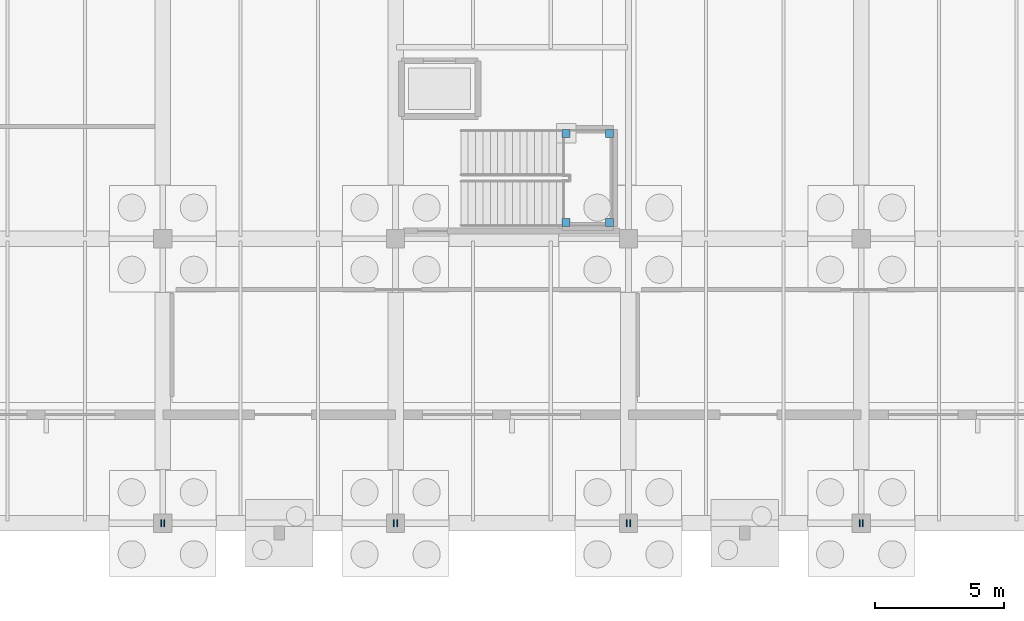
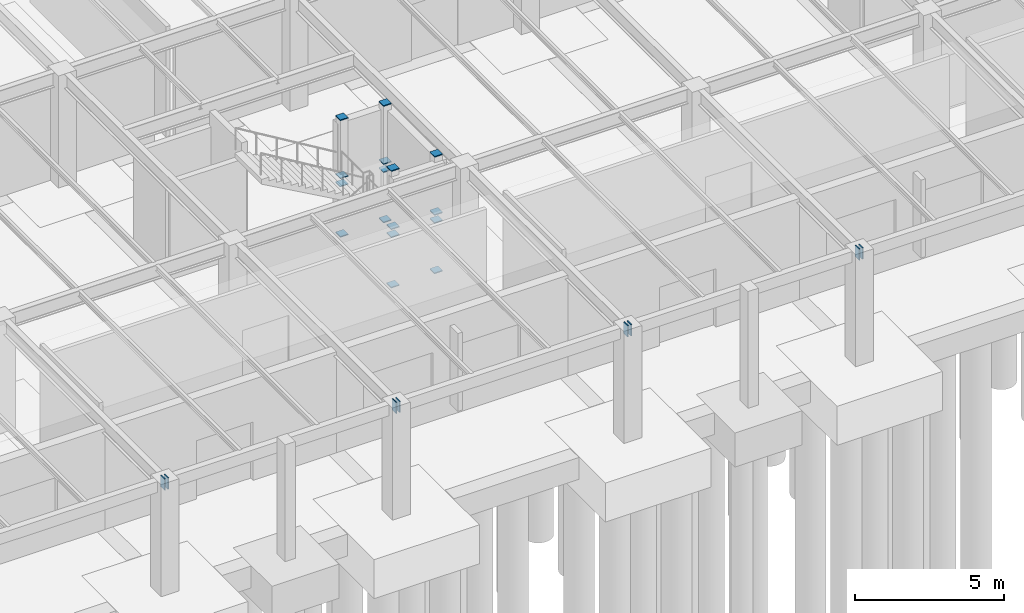
# One storey, part 135 of 160: 24 discrete accessories.
"""IFC4 building model written with IfcOpenShell, lengths in metres."""

from ifc_helpers import new_model, si_unit, direction, frame, origin, origin_2d, place, context, subcontext, project, spatial, rectangle, extrude, material, element, save


model = new_model("IFC4")

# Units and contexts
model_context = context("Model", 3, precision=1e-05, world=origin(), true_north=direction((0.0, 1.0)))
body_context = subcontext(model_context, "Body", "Model", "MODEL_VIEW")
ifc_project = project(units=[si_unit("LENGTHUNIT", "METRE"), si_unit("AREAUNIT", "SQUARE_METRE"), si_unit("VOLUMEUNIT", "CUBIC_METRE"), si_unit("PLANEANGLEUNIT", "RADIAN"), si_unit("MASSUNIT", "GRAM", prefix="KILO")], contexts=[model_context])

# Site, building, storey
site_placement = place(None, origin())
site = spatial("IfcSite", under=ifc_project, at=site_placement, CompositionType="ELEMENT")
building_placement = place(site_placement, origin())
building = spatial("IfcBuilding", under=site, at=building_placement, Name="Marlcrest Central Station", CompositionType="ELEMENT")
storey_placement = place(building_placement, origin())
storey = spatial("IfcBuildingStorey", under=building, at=storey_placement, Name="L00", CompositionType="ELEMENT", Elevation=0.0)

# Discrete accessories
ifc_material = material(Name="Steel S355", Category="steel")
for number, where, z_axis, x_axis, name in (
    (1, (161.9150390625, 0.0, 4.3798828125), (1.0, 0.0, 0.0), (0.0, 1.0, 0.0), "endcap-bm-SP-02-L00-00751-e"),
    (2, (162.045166015625, 0.0, 4.3798828125), (1.0, 0.0, 0.0), (0.0, 1.0, 0.0), "endcap-bm-SP-02-L00-00752-s"),
    (3, (170.9150390625, 0.0, 4.3798828125), (1.0, 0.0, 0.0), (0.0, 1.0, 0.0), "endcap-bm-SP-02-L00-00752-e"),
    (4, (171.045166015625, 0.0, 4.3798828125), (1.0, 0.0, 0.0), (0.0, 1.0, 0.0), "endcap-bm-SP-02-L00-00753-s"),
    (5, (179.9150390625, 0.0, 4.3798828125), (1.0, 0.0, 0.0), (0.0, 1.0, 0.0), "endcap-bm-SP-02-L00-00753-e"),
    (6, (180.045166015625, 0.0, 4.3798828125), (1.0, 0.0, 0.0), (0.0, 1.0, 0.0), "endcap-bm-SP-02-L00-00754-s"),
    (7, (188.9150390625, 0.0, 4.3798828125), (1.0, 0.0, 0.0), (0.0, 1.0, 0.0), "endcap-bm-SP-02-L00-00754-e"),
    (8, (189.045166015625, 0.0, 4.3798828125), (1.0, 0.0, 0.0), (0.0, 1.0, 0.0), "endcap-bm-SP-02-L00-00755-s"),
):
    element("IfcDiscreteAccessory", number, at=place(storey_placement, frame(where, z_axis=z_axis, x_axis=x_axis)), inside=storey, material=ifc_material, Name=name, ObjectType="END_CAP_PLATE", PredefinedType="BRACKET", context=body_context, shape_type="SweptSolid", body=[
        extrude(rectangle(XDim=0.26611328125, YDim=0.466064453125, at=origin_2d()), origin(), (0.0, 0.0, 1.0), 0.0400390625),
    ])
for number, where, z_axis, x_axis, name in (
    (9, (177.590087890625, 11.6298828125, -0.014892578125), (0.0, 0.0, 1.0), (1.0, 0.0, 0.0), "endcap-htcol-lo-0037-0-s"),
    (10, (177.590087890625, 11.6298828125, 2.05517578125), (0.0, 0.0, 1.0), (1.0, 0.0, 0.0), "endcap-htcol-lo-0037-0-e"),
    (11, (177.590087890625, 11.6298828125, 2.385009765625), (0.0, 0.0, 1.0), (1.0, 0.0, 0.0), "endcap-htcol-hi-0037-0-s"),
    (12, (177.590087890625, 11.6298828125, 4.775146484375), (0.0, 0.0, 1.0), (1.0, 0.0, 0.0), "endcap-htcol-hi-0037-0-e"),
    (13, (179.27001953125, 11.6298828125, -0.014892578125), (0.0, 0.0, 1.0), (1.0, 0.0, 0.0), "endcap-htcol-lo-0037-1-s"),
    (14, (179.27001953125, 11.6298828125, 2.05517578125), (0.0, 0.0, 1.0), (1.0, 0.0, 0.0), "endcap-htcol-lo-0037-1-e"),
    (15, (179.27001953125, 11.6298828125, 2.385009765625), (0.0, 0.0, 1.0), (1.0, 0.0, 0.0), "endcap-htcol-hi-0037-1-s"),
    (16, (179.27001953125, 11.6298828125, 4.775146484375), (0.0, 0.0, 1.0), (1.0, 0.0, 0.0), "endcap-htcol-hi-0037-1-e"),
    (17, (179.27001953125, 15.070068359375, -0.014892578125), (0.0, 0.0, 1.0), (1.0, 0.0, 0.0), "endcap-htcol-lo-0037-2-s"),
    (18, (179.27001953125, 15.070068359375, 2.05517578125), (0.0, 0.0, 1.0), (1.0, 0.0, 0.0), "endcap-htcol-lo-0037-2-e"),
    (19, (179.27001953125, 15.070068359375, 2.385009765625), (0.0, 0.0, 1.0), (1.0, 0.0, 0.0), "endcap-htcol-hi-0037-2-s"),
    (20, (179.27001953125, 15.070068359375, 4.775146484375), (0.0, 0.0, 1.0), (1.0, 0.0, 0.0), "endcap-htcol-hi-0037-2-e"),
    (21, (177.590087890625, 15.070068359375, -0.014892578125), (0.0, 0.0, 1.0), (1.0, 0.0, 0.0), "endcap-htcol-lo-0037-3-s"),
    (22, (177.590087890625, 15.070068359375, 2.05517578125), (0.0, 0.0, 1.0), (1.0, 0.0, 0.0), "endcap-htcol-lo-0037-3-e"),
    (23, (177.590087890625, 15.070068359375, 2.385009765625), (0.0, 0.0, 1.0), (1.0, 0.0, 0.0), "endcap-htcol-hi-0037-3-s"),
    (24, (177.590087890625, 15.070068359375, 4.775146484375), (0.0, 0.0, 1.0), (1.0, 0.0, 0.0), "endcap-htcol-hi-0037-3-e"),
):
    element("IfcDiscreteAccessory", number, at=place(storey_placement, frame(where, z_axis=z_axis, x_axis=x_axis)), inside=storey, material=ifc_material, Name=name, ObjectType="END_CAP_PLATE", PredefinedType="BRACKET", context=body_context, shape_type="SweptSolid", body=[
        extrude(rectangle(XDim=0.31591796875, YDim=0.31591796875, at=origin_2d()), origin(), (0.0, 0.0, 1.0), 0.0400390625),
    ])

save(model, "model.ifc")
